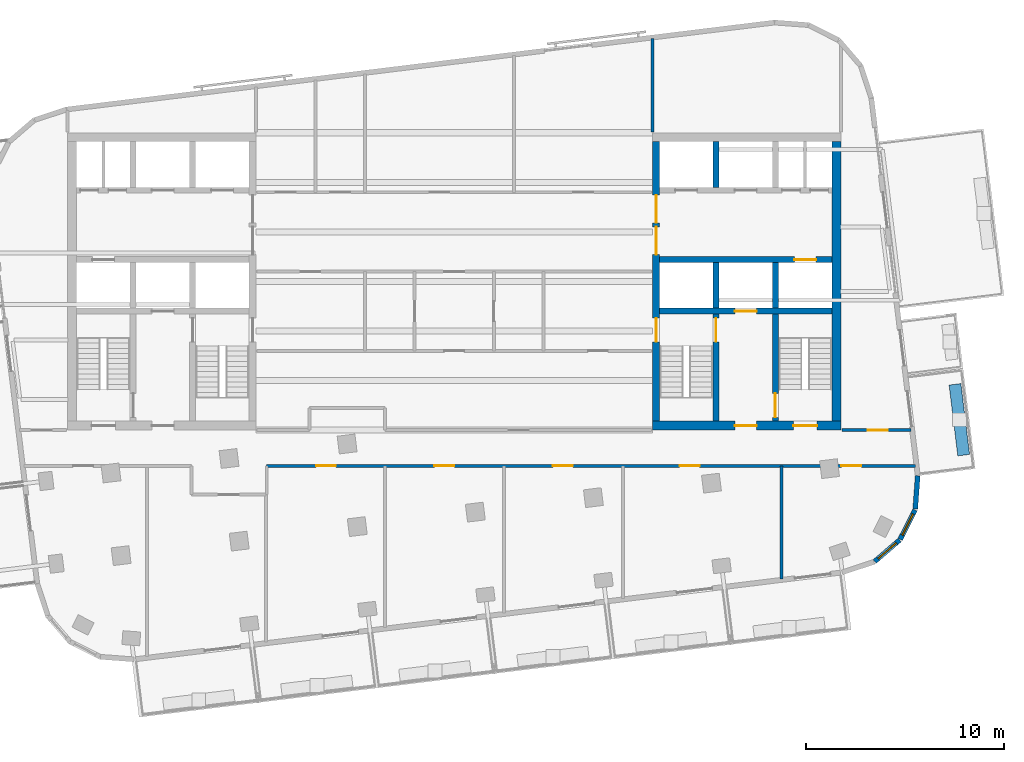
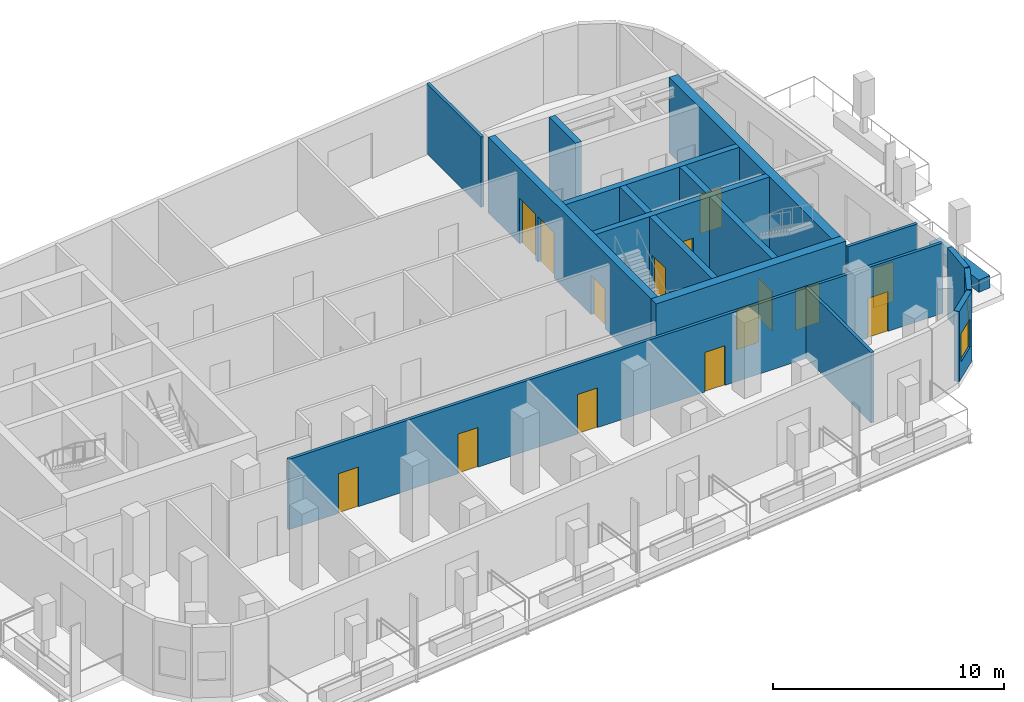
# One storey, part 5 of 10: 18 walls, 15 doors, 2 windows, 17 openings.
"""IFC4 building model written with IfcOpenShell, lengths in metres."""

from ifc_helpers import new_model, si_unit, direction, frame, frame_2d, origin, place, context, subcontext, project, spatial, rectangle, extrude, material, layer, layer_set, type_object, element, fill, save


model = new_model("IFC4")

# Units and contexts
model_context = context("Model", 3, precision=1e-05, world=origin(), true_north=direction((0.0, 1.0)))
body_context = subcontext(model_context, "Body", "Model", "MODEL_VIEW")
ifc_project = project(units=[si_unit("LENGTHUNIT", "METRE"), si_unit("AREAUNIT", "SQUARE_METRE"), si_unit("VOLUMEUNIT", "CUBIC_METRE"), si_unit("PLANEANGLEUNIT", "RADIAN"), si_unit("MASSUNIT", "GRAM", prefix="KILO")], contexts=[model_context])

# Site, building, storey
site_placement = place(None, origin())
site = spatial("IfcSite", under=ifc_project, at=site_placement, CompositionType="ELEMENT")
building_placement = place(site_placement, origin())
building = spatial("IfcBuilding", under=site, at=building_placement, Name="Torana Hotel and Residences", CompositionType="ELEMENT")
storey_placement = place(building_placement, frame((0.0, 0.0, 334.60009765625)))
storey = spatial("IfcBuildingStorey", under=building, at=storey_placement, Name="L88", CompositionType="ELEMENT", Elevation=334.60009765625)

# Wall, opening, door
ifc_material_1 = material(Name="Concrete C60/75", Category="concrete")
ifc_layer_1 = layer(ifc_material_1, 0.300048828125)
ifc_layer_set_1 = layer_set([ifc_layer_1], Name="CORE WALL 300 C60/75")
wall_type_1 = type_object("IfcWallType", Name="CORE WALL 300 C60/75", PredefinedType="SHEAR", material=ifc_layer_set_1)
wall_1_placement = place(storey_placement, frame((10.35009765625, -6.39990234375, 0.0), z_axis=(0.0, 0.0, 1.0), x_axis=(1.0, 0.0, 0.0)))
wall_1 = element("IfcWall", 1, at=wall_1_placement, inside=storey, type_object=wall_type_1, Name="Core wall E row-S", PredefinedType="SHEAR", context=body_context, shape_type="SweptSolid", body=[
    extrude(rectangle(XDim=8.699951171875, YDim=0.300048828125, at=frame_2d((4.35009765625, 0.0))), origin(), (0.0, 0.0, 1.0), 4.0),
])
opening_1_placement = place(wall_1_placement, frame((6.800048828125, 0.0, 0.0)))
opening_1 = element("IfcOpeningElement", 2, at=opening_1_placement, cuts=wall_1, Name="Opening LD", PredefinedType="OPENING", context=body_context, shape_type="SweptSolid", body=[
    extrude(rectangle(XDim=1.10009765625, YDim=2.10009765625, at=frame_2d((0.550048828125, 1.050048828125))), frame((0.0, 0.159912109375, 0.0), z_axis=(0.0, -1.0, 0.0), x_axis=(1.0, 0.0, 0.0)), (0.0, 0.0, 1.0), 0.320068359375),
])
ifc_material_2 = material(Name="Stainless steel 316", Category="steel")
door_type_1 = type_object("IfcDoorType", Name="LIFT LANDING DOOR LD 1100x2100", OperationType="DOUBLE_DOOR_SLIDING", PredefinedType="USERDEFINED", material=ifc_material_2)
door_1_placement = place(opening_1_placement, origin())
door_1 = element("IfcDoor", 3, at=door_1_placement, inside=storey, type_object=door_type_1, Name="Lift landing door SV2 L88", ObjectType="LIFT LANDING DOOR", OperationType="DOUBLE_DOOR_SLIDING", OverallHeight=2.10009765625, OverallWidth=1.10009765625, PredefinedType="USERDEFINED", context=body_context, shape_type="SweptSolid", body=[
    extrude(rectangle(XDim=1.10009765625, YDim=2.10009765625, at=frame_2d((0.550048828125, 1.050048828125))), frame((0.0, 0.02490234375, 0.0), z_axis=(0.0, -1.0, 0.0), x_axis=(1.0, 0.0, 0.0)), (0.0, 0.0, 1.0), 0.050048828125),
])
fill(opening_1, door_1)

wall_2_placement = place(storey_placement, frame((10.35009765625, -9.0, 0.0), z_axis=(0.0, 0.0, 1.0), x_axis=(1.0, 0.0, 0.0)))
wall_2 = element("IfcWall", 4, at=wall_2_placement, inside=storey, type_object=wall_type_1, Name="Core wall E band", PredefinedType="SHEAR", context=body_context, shape_type="SweptSolid", body=[
    extrude(rectangle(XDim=8.699951171875, YDim=0.300048828125, at=frame_2d((4.35009765625, 0.0))), origin(), (0.0, 0.0, 1.0), 4.0),
])
opening_2_placement = place(wall_2_placement, frame((3.800048828125, 0.0, 0.0)))
opening_2 = element("IfcOpeningElement", 5, at=opening_2_placement, cuts=wall_2, Name="Opening LD", PredefinedType="OPENING", context=body_context, shape_type="SweptSolid", body=[
    extrude(rectangle(XDim=1.10009765625, YDim=2.10009765625, at=frame_2d((0.550048828125, 1.050048828125))), frame((0.0, 0.159912109375, 0.0), z_axis=(0.0, -1.0, 0.0), x_axis=(1.0, 0.0, 0.0)), (0.0, 0.0, 1.0), 0.320068359375),
])
door_2_placement = place(opening_2_placement, origin())
door_2 = element("IfcDoor", 6, at=door_2_placement, inside=storey, type_object=door_type_1, Name="Lift landing door FF2 L88", ObjectType="LIFT LANDING DOOR", OperationType="DOUBLE_DOOR_SLIDING", OverallHeight=2.10009765625, OverallWidth=1.10009765625, PredefinedType="USERDEFINED", context=body_context, shape_type="SweptSolid", body=[
    extrude(rectangle(XDim=1.10009765625, YDim=2.10009765625, at=frame_2d((0.550048828125, 1.050048828125))), frame((0.0, 0.02490234375, 0.0), z_axis=(0.0, -1.0, 0.0), x_axis=(1.0, 0.0, 0.0)), (0.0, 0.0, 1.0), 0.050048828125),
])
fill(opening_2, door_2)

# Walls
for number, where, z_axis, x_axis, name in (
    (7, (13.199951171875, -2.75, 0.0), (0.0, 0.0, 1.0), (0.0, 1.0, 0.0), "Core wall E x3.05-N"),
    (8, (13.199951171875, -8.85009765625, 0.0), (0.0, 0.0, 1.0), (0.0, 1.0, 0.0), "Core wall E x3.05-S"),
):
    element("IfcWall", number, at=place(storey_placement, frame(where, z_axis=z_axis, x_axis=x_axis)), inside=storey, type_object=wall_type_1, Name=name, PredefinedType="SHEAR", context=body_context, shape_type="SweptSolid", body=[
        extrude(rectangle(XDim=2.300048828125, YDim=0.300048828125, at=frame_2d((1.14990234375, 0.0))), origin(), (0.0, 0.0, 1.0), 4.0),
    ])

# Wall, opening, door
wall_3_placement = place(storey_placement, frame((13.199951171875, -14.550048828125, 0.0), z_axis=(0.0, 0.0, 1.0), x_axis=(0.0, 1.0, 0.0)))
wall_3 = element("IfcWall", 9, at=wall_3_placement, inside=storey, type_object=wall_type_1, Name="Core wall E x3.05-band", PredefinedType="SHEAR", context=body_context, shape_type="SweptSolid", body=[
    extrude(rectangle(XDim=5.400146484375, YDim=0.300048828125, at=frame_2d((2.7001953125, 0.0))), origin(), (0.0, 0.0, 1.0), 4.0),
])
opening_3_placement = place(wall_3_placement, frame((4.0, 0.0, 0.0)))
opening_3 = element("IfcOpeningElement", 10, at=opening_3_placement, cuts=wall_3, Name="Opening L88-17", PredefinedType="OPENING", context=body_context, shape_type="SweptSolid", body=[
    extrude(rectangle(XDim=1.199951171875, YDim=2.10009765625, at=frame_2d((0.60009765625, 1.050048828125))), frame((0.0, 0.159912109375, 0.0), z_axis=(0.0, -1.0, 0.0), x_axis=(1.0, 0.0, 0.0)), (0.0, 0.0, 1.0), 0.320068359375),
])
ifc_material_3 = material(Name="Steel S235", Category="steel")
door_type_2 = type_object("IfcDoorType", Name="STAIR FIRE DOOR D3 1200x2100", OperationType="SINGLE_SWING_LEFT", PredefinedType="DOOR", material=ifc_material_3)
door_3_placement = place(opening_3_placement, origin())
door_3 = element("IfcDoor", 11, at=door_3_placement, inside=storey, type_object=door_type_2, Name="Stair-A-lobby door L88", OperationType="SINGLE_SWING_LEFT", OverallHeight=2.10009765625, OverallWidth=1.199951171875, PredefinedType="DOOR", context=body_context, shape_type="SweptSolid", body=[
    extrude(rectangle(XDim=1.199951171875, YDim=2.10009765625, at=frame_2d((0.60009765625, 1.050048828125))), frame((0.0, 0.02490234375, 0.0), z_axis=(0.0, -1.0, 0.0), x_axis=(1.0, 0.0, 0.0)), (0.0, 0.0, 1.0), 0.050048828125),
])
fill(opening_3, door_3)

# Wall
wall_4_placement = place(storey_placement, frame((16.199951171875, -8.85009765625, 0.0), z_axis=(0.0, 0.0, 1.0), x_axis=(0.0, 1.0, 0.0)))
element("IfcWall", 12, at=wall_4_placement, inside=storey, type_object=wall_type_1, Name="Core wall E x6.05-S", PredefinedType="SHEAR", context=body_context, shape_type="SweptSolid", body=[
    extrude(rectangle(XDim=2.300048828125, YDim=0.300048828125, at=frame_2d((1.14990234375, 0.0))), origin(), (0.0, 0.0, 1.0), 4.0),
])

# Wall, opening, door
wall_5_placement = place(storey_placement, frame((16.199951171875, -14.550048828125, 0.0), z_axis=(0.0, 0.0, 1.0), x_axis=(0.0, 1.0, 0.0)))
wall_5 = element("IfcWall", 13, at=wall_5_placement, inside=storey, type_object=wall_type_1, Name="Core wall E x6.05-band", PredefinedType="SHEAR", context=body_context, shape_type="SweptSolid", body=[
    extrude(rectangle(XDim=5.400146484375, YDim=0.300048828125, at=frame_2d((2.7001953125, 0.0))), origin(), (0.0, 0.0, 1.0), 4.0),
])
opening_4_placement = place(wall_5_placement, frame((0.199951171875, 0.0, 0.0)))
opening_4 = element("IfcOpeningElement", 14, at=opening_4_placement, cuts=wall_5, Name="Opening L88-18", PredefinedType="OPENING", context=body_context, shape_type="SweptSolid", body=[
    extrude(rectangle(XDim=1.199951171875, YDim=2.10009765625, at=frame_2d((0.60009765625, 1.050048828125))), frame((0.0, 0.159912109375, 0.0), z_axis=(0.0, -1.0, 0.0), x_axis=(1.0, 0.0, 0.0)), (0.0, 0.0, 1.0), 0.320068359375),
])
door_4_placement = place(opening_4_placement, frame((0.60009765625, 0.0, 0.0), z_axis=(0.0, 0.0, 1.0), x_axis=(-1.0, 0.0, 0.0)))
door_4 = element("IfcDoor", 15, at=door_4_placement, inside=storey, type_object=door_type_2, Name="Stair-B-lobby door L88", OperationType="SINGLE_SWING_LEFT", OverallHeight=2.10009765625, OverallWidth=1.199951171875, PredefinedType="DOOR", context=body_context, shape_type="SweptSolid", body=[
    extrude(rectangle(XDim=1.199951171875, YDim=2.10009765625, at=frame_2d((0.0, 1.050048828125))), frame((0.0, -0.02490234375, 0.0), z_axis=(0.0, 1.0, 0.0), x_axis=(-1.0, 0.0, 0.0)), (0.0, 0.0, 1.0), 0.050048828125),
])
fill(opening_4, door_4)

# Wall, openings, doors
ifc_material_4 = material(Name="Concrete C60/75", Category="concrete")
ifc_layer_2 = layer(ifc_material_4, 0.35009765625)
ifc_layer_set_2 = layer_set([ifc_layer_2], Name="CORE WALL 350 C60/75")
wall_type_2 = type_object("IfcWallType", Name="CORE WALL 350 C60/75", PredefinedType="SHEAR", material=ifc_layer_set_2)
wall_6_placement = place(storey_placement, frame((10.175048828125, -14.550048828125, 0.0), z_axis=(0.0, 0.0, 1.0), x_axis=(0.0, 1.0, 0.0)))
wall_6 = element("IfcWall", 16, at=wall_6_placement, inside=storey, type_object=wall_type_2, Name="Core wall E arch", PredefinedType="SHEAR", context=body_context, shape_type="SweptSolid", body=[
    extrude(rectangle(XDim=14.10009765625, YDim=0.35009765625, at=frame_2d((7.050048828125, 0.0))), origin(), (0.0, 0.0, 1.0), 4.0),
])
opening_5_placement = place(wall_6_placement, frame((8.39990234375, 0.0, 0.0)))
opening_5 = element("IfcOpeningElement", 17, at=opening_5_placement, cuts=wall_6, Name="Opening L88-10", PredefinedType="OPENING", context=body_context, shape_type="SweptSolid", body=[
    extrude(rectangle(XDim=1.39990234375, YDim=2.39990234375, at=frame_2d((0.699951171875, 1.199951171875))), frame((0.0, 0.18505859375, 0.0), z_axis=(0.0, -1.0, 0.0), x_axis=(1.0, 0.0, 0.0)), (0.0, 0.0, 1.0), 0.3701171875),
])
opening_6_placement = place(wall_6_placement, frame((10.0, 0.0, 0.0)))
opening_6 = element("IfcOpeningElement", 18, at=opening_6_placement, cuts=wall_6, Name="Opening L88-11", PredefinedType="OPENING", context=body_context, shape_type="SweptSolid", body=[
    extrude(rectangle(XDim=1.39990234375, YDim=2.39990234375, at=frame_2d((0.699951171875, 1.199951171875))), frame((0.0, 0.18505859375, 0.0), z_axis=(0.0, -1.0, 0.0), x_axis=(1.0, 0.0, 0.0)), (0.0, 0.0, 1.0), 0.3701171875),
])
opening_7_placement = place(wall_6_placement, frame((4.0, 0.0, 0.0)))
opening_7 = element("IfcOpeningElement", 19, at=opening_7_placement, cuts=wall_6, Name="Opening L88-12", PredefinedType="OPENING", context=body_context, shape_type="SweptSolid", body=[
    extrude(rectangle(XDim=1.199951171875, YDim=2.10009765625, at=frame_2d((0.60009765625, 1.050048828125))), frame((0.0, 0.18505859375, 0.0), z_axis=(0.0, -1.0, 0.0), x_axis=(1.0, 0.0, 0.0)), (0.0, 0.0, 1.0), 0.3701171875),
])
ifc_material_5 = material(Name="Steel S235", Category="steel")
door_type_3 = type_object("IfcDoorType", Name="LOBBY FIRE DOOR D4 1400x2400", OperationType="DOUBLE_DOOR_SINGLE_SWING", PredefinedType="DOOR", material=ifc_material_5)
door_5_placement = place(opening_5_placement, origin())
door_5 = element("IfcDoor", 20, at=door_5_placement, inside=storey, type_object=door_type_3, Name="Lobby-1 door L88", OperationType="DOUBLE_DOOR_SINGLE_SWING", OverallHeight=2.39990234375, OverallWidth=1.39990234375, PredefinedType="DOOR", context=body_context, shape_type="SweptSolid", body=[
    extrude(rectangle(XDim=1.39990234375, YDim=2.39990234375, at=frame_2d((0.699951171875, 1.199951171875))), frame((0.0, 0.02490234375, 0.0), z_axis=(0.0, -1.0, 0.0), x_axis=(1.0, 0.0, 0.0)), (0.0, 0.0, 1.0), 0.050048828125),
])
fill(opening_5, door_5)
door_6_placement = place(opening_6_placement, origin())
door_6 = element("IfcDoor", 21, at=door_6_placement, inside=storey, type_object=door_type_3, Name="Lobby-2 door L88", OperationType="DOUBLE_DOOR_SINGLE_SWING", OverallHeight=2.39990234375, OverallWidth=1.39990234375, PredefinedType="DOOR", context=body_context, shape_type="SweptSolid", body=[
    extrude(rectangle(XDim=1.39990234375, YDim=2.39990234375, at=frame_2d((0.699951171875, 1.199951171875))), frame((0.0, 0.02490234375, 0.0), z_axis=(0.0, -1.0, 0.0), x_axis=(1.0, 0.0, 0.0)), (0.0, 0.0, 1.0), 0.050048828125),
])
fill(opening_6, door_6)
door_7_placement = place(opening_7_placement, frame((0.60009765625, 0.0, 0.0), z_axis=(0.0, 0.0, 1.0), x_axis=(-1.0, 0.0, 0.0)))
door_7 = element("IfcDoor", 22, at=door_7_placement, inside=storey, type_object=door_type_2, Name="Stair-A door L88", OperationType="SINGLE_SWING_RIGHT", OverallHeight=2.10009765625, OverallWidth=1.199951171875, PredefinedType="DOOR", context=body_context, shape_type="SweptSolid", body=[
    extrude(rectangle(XDim=1.199951171875, YDim=2.10009765625, at=frame_2d((0.0, 1.050048828125))), frame((0.0, -0.02490234375, 0.0), z_axis=(0.0, 1.0, 0.0), x_axis=(-1.0, 0.0, 0.0)), (0.0, 0.0, 1.0), 0.050048828125),
])
fill(opening_7, door_7)

ifc_material_6 = material(Name="Concrete C60/75", Category="concrete")
ifc_layer_3 = layer(ifc_material_6, 0.449951171875)
ifc_layer_set_3 = layer_set([ifc_layer_3], Name="CORE WALL 450 C60/75")
wall_type_3 = type_object("IfcWallType", Name="CORE WALL 450 C60/75", PredefinedType="SHEAR", material=ifc_layer_set_3)
wall_7_placement = place(storey_placement, frame((10.0, -14.77490234375, 0.0), z_axis=(0.0, 0.0, 1.0), x_axis=(1.0, 0.0, 0.0)))
wall_7 = element("IfcWall", 23, at=wall_7_placement, inside=storey, type_object=wall_type_3, Name="Core wall E front", PredefinedType="SHEAR", context=body_context, shape_type="SweptSolid", body=[
    extrude(rectangle(XDim=9.5, YDim=0.449951171875, at=frame_2d((4.75, 0.0))), origin(), (0.0, 0.0, 1.0), 4.0),
])
opening_8_placement = place(wall_7_placement, frame((7.10009765625, 0.0, 0.0)))
opening_8 = element("IfcOpeningElement", 24, at=opening_8_placement, cuts=wall_7, Name="Opening L88-13", PredefinedType="OPENING", context=body_context, shape_type="SweptSolid", body=[
    extrude(rectangle(XDim=1.199951171875, YDim=2.10009765625, at=frame_2d((0.60009765625, 1.050048828125))), frame((0.0, 0.23486328125, 0.0), z_axis=(0.0, -1.0, 0.0), x_axis=(1.0, 0.0, 0.0)), (0.0, 0.0, 1.0), 0.469970703125),
])
opening_9_placement = place(wall_7_placement, frame((4.14990234375, 0.0, 0.0)))
opening_9 = element("IfcOpeningElement", 25, at=opening_9_placement, cuts=wall_7, Name="Opening L88-14", PredefinedType="OPENING", context=body_context, shape_type="SweptSolid", body=[
    extrude(rectangle(XDim=1.10009765625, YDim=2.10009765625, at=frame_2d((0.550048828125, 1.050048828125))), frame((0.0, 0.23486328125, 0.0), z_axis=(0.0, -1.0, 0.0), x_axis=(1.0, 0.0, 0.0)), (0.0, 0.0, 1.0), 0.469970703125),
])
ifc_material_7 = material(Name="Steel S235", Category="steel")
door_type_4 = type_object("IfcDoorType", Name="FIRE-FIGHTING LOBBY DOOR D8 1100x2100", OperationType="SINGLE_SWING_LEFT", PredefinedType="DOOR", material=ifc_material_7)
door_8_placement = place(opening_9_placement, origin())
door_8 = element("IfcDoor", 26, at=door_8_placement, inside=storey, type_object=door_type_4, Name="FF-lobby door L88", OperationType="SINGLE_SWING_RIGHT", OverallHeight=2.10009765625, OverallWidth=1.10009765625, PredefinedType="DOOR", context=body_context, shape_type="SweptSolid", body=[
    extrude(rectangle(XDim=1.10009765625, YDim=2.10009765625, at=frame_2d((0.550048828125, 1.050048828125))), frame((0.0, 0.02490234375, 0.0), z_axis=(0.0, -1.0, 0.0), x_axis=(1.0, 0.0, 0.0)), (0.0, 0.0, 1.0), 0.050048828125),
])
fill(opening_9, door_8)
door_9_placement = place(opening_8_placement, origin())
door_9 = element("IfcDoor", 27, at=door_9_placement, inside=storey, type_object=door_type_2, Name="Stair-B door L88", OperationType="SINGLE_SWING_RIGHT", OverallHeight=2.10009765625, OverallWidth=1.199951171875, PredefinedType="DOOR", context=body_context, shape_type="SweptSolid", body=[
    extrude(rectangle(XDim=1.199951171875, YDim=2.10009765625, at=frame_2d((0.60009765625, 1.050048828125))), frame((0.0, 0.02490234375, 0.0), z_axis=(0.0, -1.0, 0.0), x_axis=(1.0, 0.0, 0.0)), (0.0, 0.0, 1.0), 0.050048828125),
])
fill(opening_8, door_9)

# Wall
wall_8_placement = place(storey_placement, frame((19.27490234375, -14.550048828125, 0.0), z_axis=(0.0, 0.0, 1.0), x_axis=(0.0, 1.0, 0.0)))
element("IfcWall", 28, at=wall_8_placement, inside=storey, type_object=wall_type_3, Name="Core wall E outer", PredefinedType="SHEAR", context=body_context, shape_type="SweptSolid", body=[
    extrude(rectangle(XDim=14.10009765625, YDim=0.449951171875, at=frame_2d((7.050048828125, 0.0))), origin(), (0.0, 0.0, 1.0), 4.0),
])

# Wall, opening, window
ifc_material_8 = material(Name="Black aluminium composite panel", Category="aluminium")
ifc_layer_4 = layer(ifc_material_8, 0.00390625, Name="Cladding", Category="cladding")
ifc_material_9 = material(Name="Ventilated air cavity")
ifc_layer_5 = layer(ifc_material_9, 0.0400390625, Name="Ventilated cavity", Category="cavity")
ifc_material_10 = material(Name="Mineral wool insulation")
ifc_layer_6 = layer(ifc_material_10, 0.090087890625, Name="Insulation", Category="insulation")
ifc_material_11 = material(Name="Steel S280GD", Category="steel")
ifc_layer_7 = layer(ifc_material_11, 0.092041015625, Name="Steel stud frame", Category="structure")
ifc_material_12 = material(Name="Fire rated plasterboard")
ifc_layer_8 = layer(ifc_material_12, 0.011962890625, Name="Inner board", Category="finish")
ifc_layer_9 = layer(ifc_material_12, 0.011962890625, Name="Second board", Category="finish")
ifc_layer_set_4 = layer_set([ifc_layer_4, ifc_layer_5, ifc_layer_6, ifc_layer_7, ifc_layer_8, ifc_layer_9], Name="EW1 EXTERNAL WALL BLACK METAL CLAD 250")
wall_type_4 = type_object("IfcWallType", Name="EW1 EXTERNAL WALL BLACK METAL CLAD 250", PredefinedType="SOLIDWALL", material=ifc_layer_set_4)
wall_9_placement = place(storey_placement, frame((21.207763671875, -21.624267578125, 0.0), z_axis=(0.0, 0.0, 1.0), x_axis=(0.757568315466, 0.652755886531, 0.0)))
wall_9 = element("IfcWall", 29, at=wall_9_placement, inside=storey, type_object=wall_type_4, Name="External wall L88 e0.16", PredefinedType="SOLIDWALL", context=body_context, shape_type="SweptSolid", body=[
    extrude(rectangle(XDim=1.65625, YDim=0.25, at=frame_2d((0.828125, 0.0))), origin(), (0.0, 0.0, 1.0), 3.719970703125),
])
opening_10_placement = place(wall_9_placement, frame((0.228271484375, 0.0, 0.89990234375)))
opening_10 = element("IfcOpeningElement", 30, at=opening_10_placement, cuts=wall_9, Name="Opening W5", PredefinedType="OPENING", context=body_context, shape_type="SweptSolid", body=[
    extrude(rectangle(XDim=1.199951171875, YDim=1.5, at=frame_2d((0.60009765625, 0.75))), frame((0.0, 0.135009765625, 0.0), z_axis=(0.0, -1.0, 0.0), x_axis=(1.0, 0.0, 0.0)), (0.0, 0.0, 1.0), 0.27001953125),
])
ifc_material_13 = material(Name="Dark glass in black aluminium frame", Category="aluminium")
window_type = type_object("IfcWindowType", Name="W5 CORNER FACET WINDOW 1200x1500", PartitioningType="SINGLE_PANEL", PredefinedType="WINDOW", material=ifc_material_13)
window_1_placement = place(opening_10_placement, origin())
window_1 = element("IfcWindow", 31, at=window_1_placement, inside=storey, type_object=window_type, Name="Window L88 e0.16", OverallHeight=1.5, OverallWidth=1.199951171875, PartitioningType="SINGLE_PANEL", PredefinedType="WINDOW", context=body_context, shape_type="SweptSolid", body=[
    extrude(rectangle(XDim=1.199951171875, YDim=1.5, at=frame_2d((0.60009765625, 0.75))), frame((0.0, 0.030029296875, 0.0), z_axis=(0.0, -1.0, 0.0), x_axis=(1.0, 0.0, 0.0)), (0.0, 0.0, 1.0), 0.06005859375),
])
fill(opening_10, window_1)

wall_10_placement = place(storey_placement, frame((22.49267578125, -20.504638671875, 0.0), z_axis=(0.0, 0.0, 1.0), x_axis=(0.449982385812, 0.893037430604, 0.0)))
wall_10 = element("IfcWall", 32, at=wall_10_placement, inside=storey, type_object=wall_type_4, Name="External wall L88 e0.17", PredefinedType="SOLIDWALL", context=body_context, shape_type="SweptSolid", body=[
    extrude(rectangle(XDim=1.656494140625, YDim=0.25, at=frame_2d((0.828125, 0.0))), origin(), (0.0, 0.0, 1.0), 3.719970703125),
])
opening_11_placement = place(wall_10_placement, frame((0.228271484375, 0.0, 0.89990234375)))
opening_11 = element("IfcOpeningElement", 33, at=opening_11_placement, cuts=wall_10, Name="Opening W5", PredefinedType="OPENING", context=body_context, shape_type="SweptSolid", body=[
    extrude(rectangle(XDim=1.199951171875, YDim=1.5, at=frame_2d((0.60009765625, 0.75))), frame((0.0, 0.135009765625, 0.0), z_axis=(0.0, -1.0, 0.0), x_axis=(1.0, 0.0, 0.0)), (0.0, 0.0, 1.0), 0.27001953125),
])
window_2_placement = place(opening_11_placement, origin())
window_2 = element("IfcWindow", 34, at=window_2_placement, inside=storey, type_object=window_type, Name="Window L88 e0.17", OverallHeight=1.5, OverallWidth=1.199951171875, PartitioningType="SINGLE_PANEL", PredefinedType="WINDOW", context=body_context, shape_type="SweptSolid", body=[
    extrude(rectangle(XDim=1.199951171875, YDim=1.5, at=frame_2d((0.60009765625, 0.75))), frame((0.0, 0.030029296875, 0.0), z_axis=(0.0, -1.0, 0.0), x_axis=(1.0, 0.0, 0.0)), (0.0, 0.0, 1.0), 0.06005859375),
])
fill(opening_11, window_2)

# Wall
wall_11_placement = place(storey_placement, frame((23.251220703125, -18.978515625, 0.0), z_axis=(0.0, 0.0, 1.0), x_axis=(0.074053534713, 0.997254267475, 0.0)))
element("IfcWall", 35, at=wall_11_placement, inside=storey, type_object=wall_type_4, Name="External wall L88 e0.18", PredefinedType="SOLIDWALL", context=body_context, shape_type="SweptSolid", body=[
    extrude(rectangle(XDim=1.681396484375, YDim=0.25, at=frame_2d((0.8408203125, 0.0))), origin(), (0.0, 0.0, 1.0), 3.719970703125),
])

# Wall, openings, doors
ifc_material_14 = material(Name="Gypsum plaster")
ifc_layer_10 = layer(ifc_material_14, 0.014892578125, Name="Plaster", Category="finish")
ifc_material_15 = material(Name="Concrete blockwork", Category="masonry")
ifc_layer_11 = layer(ifc_material_15, 0.1201171875, Name="Blockwork", Category="structure")
ifc_layer_12 = layer(ifc_material_14, 0.014892578125, Name="Plaster", Category="finish")
ifc_layer_set_5 = layer_set([ifc_layer_10, ifc_layer_11, ifc_layer_12], Name="FIRE PARTITION 150 BLOCKWORK")
wall_type_5 = type_object("IfcWallType", Name="FIRE PARTITION 150 BLOCKWORK", PredefinedType="PARTITIONING", material=ifc_layer_set_5)
wall_12_placement = place(storey_placement, frame((-9.4609375, -16.800048828125, 0.0), z_axis=(0.0, 0.0, 1.0), x_axis=(1.0, 0.0, 0.0)))
wall_12 = element("IfcWall", 36, at=wall_12_placement, inside=storey, type_object=wall_type_5, Name="Partition L88", PredefinedType="PARTITIONING", context=body_context, shape_type="SweptSolid", body=[
    extrude(rectangle(XDim=32.721923828125, YDim=0.14990234375, at=frame_2d((16.36083984375, 0.0))), origin(), (0.0, 0.0, 1.0), 3.719970703125),
])
opening_12_placement = place(wall_12_placement, frame((2.489013671875, 0.0, 0.0)))
opening_12 = element("IfcOpeningElement", 37, at=opening_12_placement, cuts=wall_12, Name="Opening L88-22", PredefinedType="OPENING", context=body_context, shape_type="SweptSolid", body=[
    extrude(rectangle(XDim=1.0, YDim=2.10009765625, at=frame_2d((0.5, 1.050048828125))), frame((0.0, 0.0849609375, 0.0), z_axis=(0.0, -1.0, 0.0), x_axis=(1.0, 0.0, 0.0)), (0.0, 0.0, 1.0), 0.169921875),
])
opening_13_placement = place(wall_12_placement, frame((8.458984375, 0.0, 0.0)))
opening_13 = element("IfcOpeningElement", 38, at=opening_13_placement, cuts=wall_12, Name="Opening L88-23", PredefinedType="OPENING", context=body_context, shape_type="SweptSolid", body=[
    extrude(rectangle(XDim=1.0, YDim=2.10009765625, at=frame_2d((0.5, 1.050048828125))), frame((0.0, 0.0849609375, 0.0), z_axis=(0.0, -1.0, 0.0), x_axis=(1.0, 0.0, 0.0)), (0.0, 0.0, 1.0), 0.169921875),
])
opening_14_placement = place(wall_12_placement, frame((14.43896484375, 0.0, 0.0)))
opening_14 = element("IfcOpeningElement", 39, at=opening_14_placement, cuts=wall_12, Name="Opening L88-24", PredefinedType="OPENING", context=body_context, shape_type="SweptSolid", body=[
    extrude(rectangle(XDim=1.0, YDim=2.10009765625, at=frame_2d((0.5, 1.050048828125))), frame((0.0, 0.0849609375, 0.0), z_axis=(0.0, -1.0, 0.0), x_axis=(1.0, 0.0, 0.0)), (0.0, 0.0, 1.0), 0.169921875),
])
opening_15_placement = place(wall_12_placement, frame((20.83056640625, 0.0, 0.0)))
opening_15 = element("IfcOpeningElement", 40, at=opening_15_placement, cuts=wall_12, Name="Opening L88-25", PredefinedType="OPENING", context=body_context, shape_type="SweptSolid", body=[
    extrude(rectangle(XDim=1.0, YDim=2.10009765625, at=frame_2d((0.5, 1.050048828125))), frame((0.0, 0.0849609375, 0.0), z_axis=(0.0, -1.0, 0.0), x_axis=(1.0, 0.0, 0.0)), (0.0, 0.0, 1.0), 0.169921875),
])
opening_16_placement = place(wall_12_placement, frame((28.988525390625, 0.0, 0.0)))
opening_16 = element("IfcOpeningElement", 41, at=opening_16_placement, cuts=wall_12, Name="Opening L88-26", PredefinedType="OPENING", context=body_context, shape_type="SweptSolid", body=[
    extrude(rectangle(XDim=1.0, YDim=2.10009765625, at=frame_2d((0.5, 1.050048828125))), frame((0.0, 0.0849609375, 0.0), z_axis=(0.0, -1.0, 0.0), x_axis=(1.0, 0.0, 0.0)), (0.0, 0.0, 1.0), 0.169921875),
])
ifc_material_16 = material(Name="Steel S235", Category="steel")
door_type_5 = type_object("IfcDoorType", Name="ENTRY FIRE DOOR D6 1000x2100", OperationType="SINGLE_SWING_LEFT", PredefinedType="DOOR", material=ifc_material_16)
door_10_placement = place(opening_12_placement, frame((0.5, 0.0, 0.0), z_axis=(0.0, 0.0, 1.0), x_axis=(-1.0, 0.0, 0.0)))
door_10 = element("IfcDoor", 42, at=door_10_placement, inside=storey, type_object=door_type_5, Name="Door L88", OperationType="SINGLE_SWING_LEFT", OverallHeight=2.10009765625, OverallWidth=1.0, PredefinedType="DOOR", context=body_context, shape_type="SweptSolid", body=[
    extrude(rectangle(XDim=1.0, YDim=2.10009765625, at=frame_2d((0.0, 1.050048828125))), frame((0.0, -0.02490234375, 0.0), z_axis=(0.0, 1.0, 0.0), x_axis=(-1.0, 0.0, 0.0)), (0.0, 0.0, 1.0), 0.050048828125),
])
fill(opening_12, door_10)
door_11_placement = place(opening_13_placement, frame((0.5, 0.0, 0.0), z_axis=(0.0, 0.0, 1.0), x_axis=(-1.0, 0.0, 0.0)))
door_11 = element("IfcDoor", 43, at=door_11_placement, inside=storey, type_object=door_type_5, Name="Door L88", OperationType="SINGLE_SWING_LEFT", OverallHeight=2.10009765625, OverallWidth=1.0, PredefinedType="DOOR", context=body_context, shape_type="SweptSolid", body=[
    extrude(rectangle(XDim=1.0, YDim=2.10009765625, at=frame_2d((0.0, 1.050048828125))), frame((0.0, -0.02490234375, 0.0), z_axis=(0.0, 1.0, 0.0), x_axis=(-1.0, 0.0, 0.0)), (0.0, 0.0, 1.0), 0.050048828125),
])
fill(opening_13, door_11)
door_12_placement = place(opening_14_placement, frame((0.5, 0.0, 0.0), z_axis=(0.0, 0.0, 1.0), x_axis=(-1.0, 0.0, 0.0)))
door_12 = element("IfcDoor", 44, at=door_12_placement, inside=storey, type_object=door_type_5, Name="Door L88", OperationType="SINGLE_SWING_LEFT", OverallHeight=2.10009765625, OverallWidth=1.0, PredefinedType="DOOR", context=body_context, shape_type="SweptSolid", body=[
    extrude(rectangle(XDim=1.0, YDim=2.10009765625, at=frame_2d((0.0, 1.050048828125))), frame((0.0, -0.02490234375, 0.0), z_axis=(0.0, 1.0, 0.0), x_axis=(-1.0, 0.0, 0.0)), (0.0, 0.0, 1.0), 0.050048828125),
])
fill(opening_14, door_12)
door_13_placement = place(opening_15_placement, frame((0.5, 0.0, 0.0), z_axis=(0.0, 0.0, 1.0), x_axis=(-1.0, 0.0, 0.0)))
door_13 = element("IfcDoor", 45, at=door_13_placement, inside=storey, type_object=door_type_5, Name="Door L88", OperationType="SINGLE_SWING_RIGHT", OverallHeight=2.10009765625, OverallWidth=1.0, PredefinedType="DOOR", context=body_context, shape_type="SweptSolid", body=[
    extrude(rectangle(XDim=1.0, YDim=2.10009765625, at=frame_2d((0.0, 1.050048828125))), frame((0.0, -0.02490234375, 0.0), z_axis=(0.0, 1.0, 0.0), x_axis=(-1.0, 0.0, 0.0)), (0.0, 0.0, 1.0), 0.050048828125),
])
fill(opening_15, door_13)
door_14_placement = place(opening_16_placement, frame((0.5, 0.0, 0.0), z_axis=(0.0, 0.0, 1.0), x_axis=(-1.0, 0.0, 0.0)))
door_14 = element("IfcDoor", 46, at=door_14_placement, inside=storey, type_object=door_type_5, Name="Door L88", OperationType="SINGLE_SWING_LEFT", OverallHeight=2.10009765625, OverallWidth=1.0, PredefinedType="DOOR", context=body_context, shape_type="SweptSolid", body=[
    extrude(rectangle(XDim=1.0, YDim=2.10009765625, at=frame_2d((0.0, 1.050048828125))), frame((0.0, -0.02490234375, 0.0), z_axis=(0.0, 1.0, 0.0), x_axis=(-1.0, 0.0, 0.0)), (0.0, 0.0, 1.0), 0.050048828125),
])
fill(opening_16, door_14)

# Wall, opening, door
wall_13_placement = place(storey_placement, frame((19.550048828125, -15.0, 0.0), z_axis=(0.0, 0.0, 1.0), x_axis=(1.0, 0.0, 0.0)))
wall_13 = element("IfcWall", 47, at=wall_13_placement, inside=storey, type_object=wall_type_5, Name="Partition L88", PredefinedType="PARTITIONING", context=body_context, shape_type="SweptSolid", body=[
    extrude(rectangle(XDim=3.489990234375, YDim=0.14990234375, at=frame_2d((1.7451171875, 0.0))), origin(), (0.0, 0.0, 1.0), 3.719970703125),
])
opening_17_placement = place(wall_13_placement, frame((1.31103515625, 0.0, 0.0)))
opening_17 = element("IfcOpeningElement", 48, at=opening_17_placement, cuts=wall_13, Name="Opening L88-28", PredefinedType="OPENING", context=body_context, shape_type="SweptSolid", body=[
    extrude(rectangle(XDim=1.0, YDim=2.10009765625, at=frame_2d((0.5, 1.050048828125))), frame((0.0, 0.0849609375, 0.0), z_axis=(0.0, -1.0, 0.0), x_axis=(1.0, 0.0, 0.0)), (0.0, 0.0, 1.0), 0.169921875),
])
ifc_material_17 = material(Name="Steel S235", Category="steel")
door_type_6 = type_object("IfcDoorType", Name="CORE ROOM FIRE DOOR D14 1000x2100", OperationType="SINGLE_SWING_LEFT", PredefinedType="DOOR", material=ifc_material_17)
door_15_placement = place(opening_17_placement, origin())
door_15 = element("IfcDoor", 49, at=door_15_placement, inside=storey, type_object=door_type_6, Name="Door L88", OperationType="SINGLE_SWING_LEFT", OverallHeight=2.10009765625, OverallWidth=1.0, PredefinedType="DOOR", context=body_context, shape_type="SweptSolid", body=[
    extrude(rectangle(XDim=1.0, YDim=2.10009765625, at=frame_2d((0.5, 1.050048828125))), frame((0.0, 0.02490234375, 0.0), z_axis=(0.0, -1.0, 0.0), x_axis=(1.0, 0.0, 0.0)), (0.0, 0.0, 1.0), 0.050048828125),
])
fill(opening_17, door_15)

# Walls
ifc_material_18 = material(Name="Gypsum plasterboard")
ifc_layer_13 = layer(ifc_material_18, 0.012451171875, Name="Plasterboard", Category="finish")
ifc_layer_14 = layer(ifc_material_18, 0.012451171875, Name="Plasterboard", Category="finish")
ifc_layer_15 = layer(ifc_material_11, 0.10009765625, Name="Steel studs with mineral wool", Category="insulation")
ifc_layer_16 = layer(ifc_material_18, 0.012451171875, Name="Plasterboard", Category="finish")
ifc_layer_17 = layer(ifc_material_18, 0.012451171875, Name="Plasterboard", Category="finish")
ifc_layer_set_6 = layer_set([ifc_layer_13, ifc_layer_14, ifc_layer_15, ifc_layer_16, ifc_layer_17], Name="PARTITION 150 PLASTERBOARD")
wall_type_6 = type_object("IfcWallType", Name="PARTITION 150 PLASTERBOARD", PredefinedType="PARTITIONING", material=ifc_layer_set_6)
wall_14_placement = place(storey_placement, frame((16.498046875, -22.498779296875, 0.0), z_axis=(0.0, 0.0, 1.0), x_axis=(0.0, 1.0, 0.0)))
element("IfcWall", 50, at=wall_14_placement, inside=storey, type_object=wall_type_6, Name="Partition L88", PredefinedType="PARTITIONING", context=body_context, shape_type="SweptSolid", body=[
    extrude(rectangle(XDim=5.69873046875, YDim=0.14990234375, at=frame_2d((2.849365234375, 0.0))), origin(), (0.0, 0.0, 1.0), 3.719970703125),
])
wall_15_placement = place(storey_placement, frame((10.0, 0.050048828125, 0.0), z_axis=(0.0, 0.0, 1.0), x_axis=(0.0, 1.0, 0.0)))
element("IfcWall", 51, at=wall_15_placement, inside=storey, type_object=wall_type_6, Name="Partition L88", PredefinedType="PARTITIONING", context=body_context, shape_type="SweptSolid", body=[
    extrude(rectangle(XDim=4.7021484375, YDim=0.14990234375, at=frame_2d((2.35107421875, 0.0))), origin(), (0.0, 0.0, 1.0), 3.719970703125),
])
ifc_material_19 = material(Name="Concrete C40/50 precast", Category="concrete")
ifc_layer_18 = layer(ifc_material_19, 0.10009765625, Name="Planter shell", Category="structure")
ifc_material_20 = material(Name="Root resistant membrane")
ifc_layer_19 = layer(ifc_material_20, 0.00390625, Name="Waterproofing membrane", Category="membrane")
ifc_material_21 = material(Name="Drainage board with filter fleece")
ifc_layer_20 = layer(ifc_material_21, 0.02001953125, Name="Drainage board", Category="drainage")
ifc_material_22 = material(Name="Growing medium")
ifc_layer_21 = layer(ifc_material_22, 0.47607421875, Name="Planting substrate", Category="soil")
ifc_layer_set_7 = layer_set([ifc_layer_18, ifc_layer_19, ifc_layer_20, ifc_layer_21], Name="PL1 BALCONY PLANTER 600")
wall_type_7 = type_object("IfcWallType", Name="PL1 BALCONY PLANTER 600", PredefinedType="USERDEFINED", material=ifc_layer_set_7)
wall_16_placement = place(storey_placement, frame((25.2548828125, -12.6884765625, 0.0), z_axis=(0.0, 0.0, 1.0), x_axis=(0.121864343918, -0.992546765488, 0.0)))
element("IfcWall", 52, at=wall_16_placement, inside=storey, type_object=wall_type_7, Name="Planter 10", ObjectType="PLANTER", PredefinedType="USERDEFINED", context=body_context, shape_type="SweptSolid", body=[
    extrude(rectangle(XDim=3.60009765625, YDim=0.60009765625, at=frame_2d((1.800048828125, 0.0))), origin(), (0.0, 0.0, 1.0), 0.64990234375),
])

save(model, "model.ifc")
